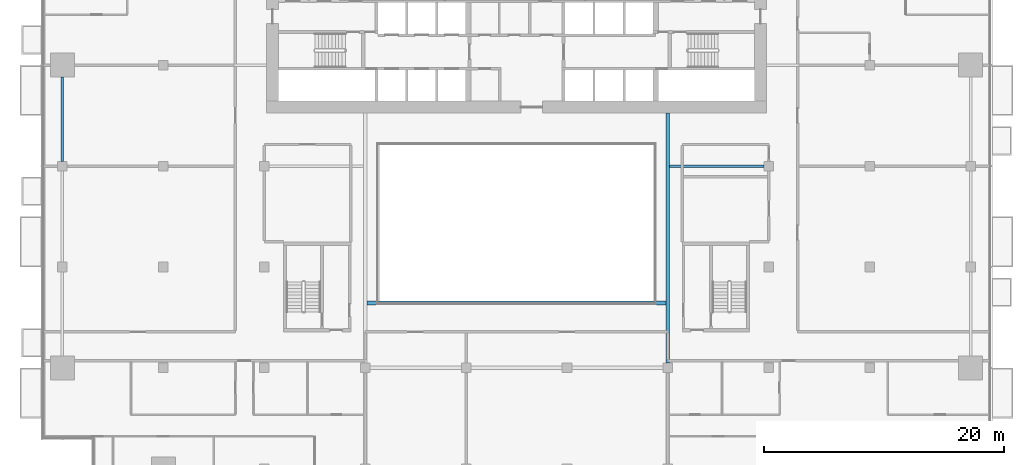
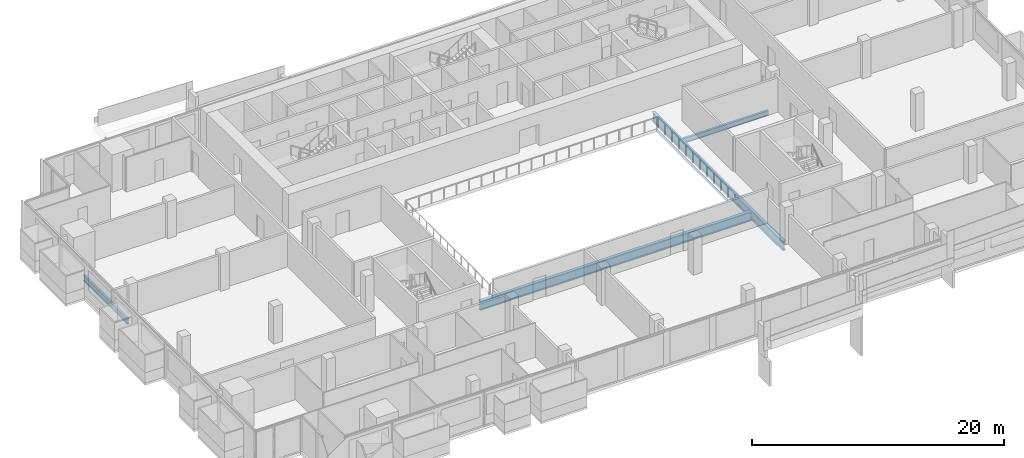
# One storey, part 7 of 26: 4 beams.
"""IFC4 building model written with IfcOpenShell, lengths in metres."""

from ifc_helpers import new_model, si_unit, direction, frame, origin, origin_2d, place, context, subcontext, project, spatial, i_section, extrude, material, material_profile, profile_set, type_object, element, save


model = new_model("IFC4")

# Units and contexts
model_context = context("Model", 3, precision=1e-05, world=origin(), true_north=direction((0.0, 1.0)))
body_context = subcontext(model_context, "Body", "Model", "MODEL_VIEW")
ifc_project = project(units=[si_unit("LENGTHUNIT", "METRE"), si_unit("AREAUNIT", "SQUARE_METRE"), si_unit("VOLUMEUNIT", "CUBIC_METRE"), si_unit("PLANEANGLEUNIT", "RADIAN"), si_unit("MASSUNIT", "GRAM", prefix="KILO")], contexts=[model_context])

# Site, building, storey
site_placement = place(None, origin())
site = spatial("IfcSite", under=ifc_project, at=site_placement, CompositionType="ELEMENT")
building_placement = place(site_placement, origin())
building = spatial("IfcBuilding", under=site, at=building_placement, Name="Saffron Gate Tower", CompositionType="ELEMENT")
storey_placement = place(building_placement, frame((0.0, 0.0, 102.449951171875)))
storey = spatial("IfcBuildingStorey", under=building, at=storey_placement, Name="L23", CompositionType="ELEMENT", Elevation=102.449951171875)

# Beams
ifc_material = material(Name="Structural steel S355", Category="steel")
ifc_material_profile_1 = material_profile(ifc_material, i_section(OverallWidth=0.199951171875, OverallDepth=0.5, WebThickness=0.01025390625, FlangeThickness=0.01611328125, FilletRadius=0.02099609375, at=origin_2d()))
ifc_profile_set_1 = profile_set([ifc_material_profile_1], Name="Structural steel S355")
beam_type_1 = type_object("IfcBeamType", Name="B10 IPE 500", PredefinedType="BEAM", material=ifc_profile_set_1)
beam_1_placement = place(storey_placement, frame((108.199951171875, 57.0, -0.530029296875), z_axis=(-1.0, 0.0, 0.0), x_axis=(0.0, -1.0, 0.0)))
element("IfcBeam", 1, at=beam_1_placement, inside=storey, type_object=beam_type_1, Name="B10 CORE TIE BEAM", PredefinedType="BEAM", context=body_context, shape_type="SweptSolid", body=[
    extrude(i_section(OverallWidth=0.199951171875, OverallDepth=0.5, WebThickness=0.01025390625, FlangeThickness=0.01611328125, FilletRadius=0.02099609375, at=origin_2d()), origin(), (0.0, 0.0, 1.0), 7.849853515625),
])
ifc_material_profile_2 = material_profile(ifc_material, i_section(OverallWidth=0.2099609375, OverallDepth=0.550048828125, WebThickness=0.010986328125, FlangeThickness=0.01708984375, FilletRadius=0.02392578125, at=origin_2d()))
ifc_profile_set_2 = profile_set([ifc_material_profile_2], Name="Structural steel S355")
beam_type_2 = type_object("IfcBeamType", Name="B13 IPE 550", PredefinedType="SPANDREL", material=ifc_profile_set_2)
beam_2_placement = place(storey_placement, frame((49.800048828125, 57.39990234375, -0.554931640625), z_axis=(0.0, 1.0, 0.0), x_axis=(-1.0, 0.0, 0.0)))
element("IfcBeam", 2, at=beam_2_placement, inside=storey, type_object=beam_type_2, Name="B13 SPANDREL BEAM", PredefinedType="SPANDREL", context=body_context, shape_type="SweptSolid", body=[
    extrude(i_section(OverallWidth=0.2099609375, OverallDepth=0.550048828125, WebThickness=0.010986328125, FlangeThickness=0.01708984375, FilletRadius=0.02392578125, at=origin_2d()), origin(), (0.0, 0.0, 1.0), 7.0),
])
ifc_material_profile_3 = material_profile(ifc_material, i_section(OverallWidth=0.300048828125, OverallDepth=0.889892578125, WebThickness=0.01611328125, FlangeThickness=0.030029296875, FilletRadius=0.030029296875, at=origin_2d()))
ifc_profile_set_3 = profile_set([ifc_material_profile_3], Name="Structural steel S355")
beam_type_3 = type_object("IfcBeamType", Name="B19 HEA 900", PredefinedType="BEAM", material=ifc_profile_set_3)
beam_3_placement = place(storey_placement, frame((100.199951171875, 40.60009765625, -0.724853515625), z_axis=(0.0, 1.0, 0.0), x_axis=(-1.0, 0.0, 0.0)))
element("IfcBeam", 3, at=beam_3_placement, inside=storey, type_object=beam_type_3, Name="B19 ATRIUM GIRDER", PredefinedType="BEAM", context=body_context, shape_type="SweptSolid", body=[
    extrude(i_section(OverallWidth=0.300048828125, OverallDepth=0.889892578125, WebThickness=0.01611328125, FlangeThickness=0.030029296875, FilletRadius=0.030029296875, at=origin_2d()), origin(), (0.0, 0.0, 1.0), 20.7998046875),
])
beam_4_placement = place(storey_placement, frame((75.14990234375, 45.60009765625, -0.724853515625), z_axis=(1.0, 0.0, 0.0), x_axis=(0.0, 1.0, 0.0)))
element("IfcBeam", 4, at=beam_4_placement, inside=storey, type_object=beam_type_3, Name="B19 ATRIUM GIRDER", PredefinedType="BEAM", context=body_context, shape_type="SweptSolid", body=[
    extrude(i_section(OverallWidth=0.300048828125, OverallDepth=0.889892578125, WebThickness=0.01611328125, FlangeThickness=0.030029296875, FilletRadius=0.030029296875, at=origin_2d()), origin(), (0.0, 0.0, 1.0), 24.900146484375),
])

save(model, "model.ifc")
